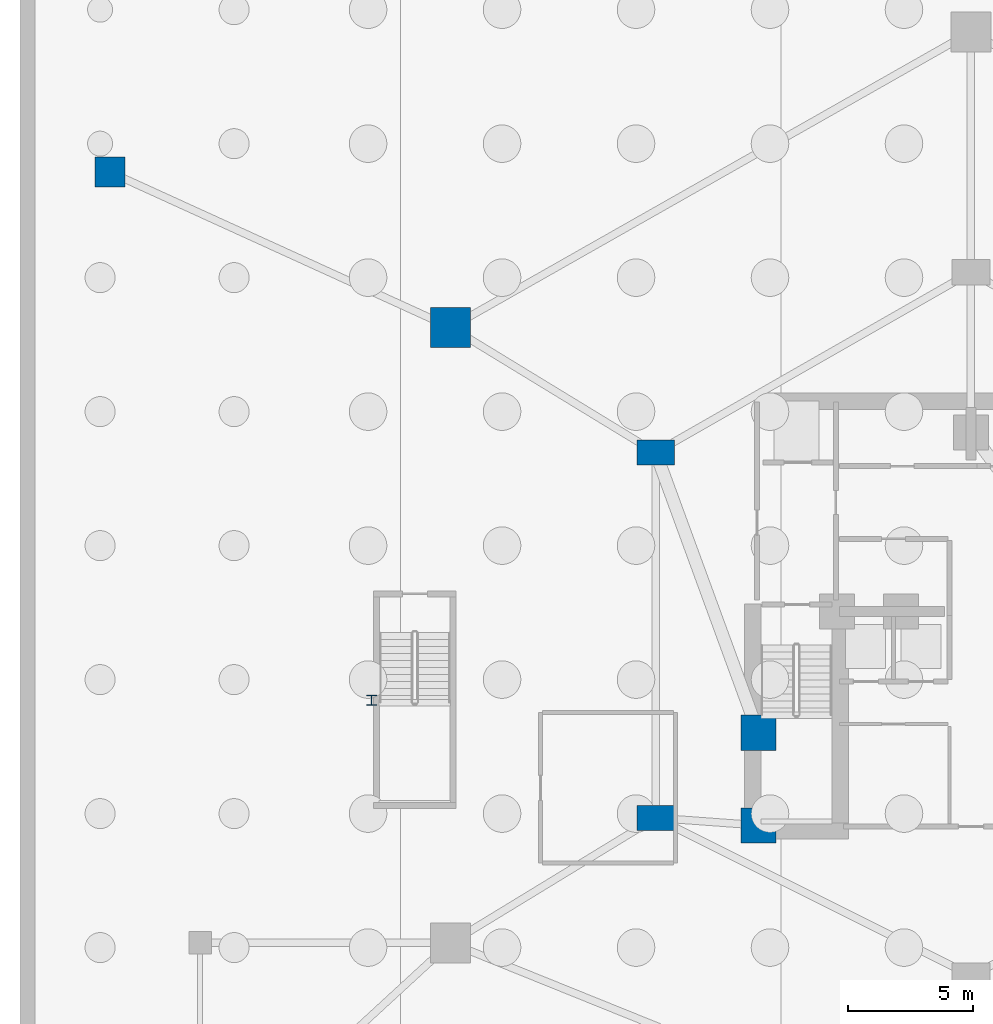
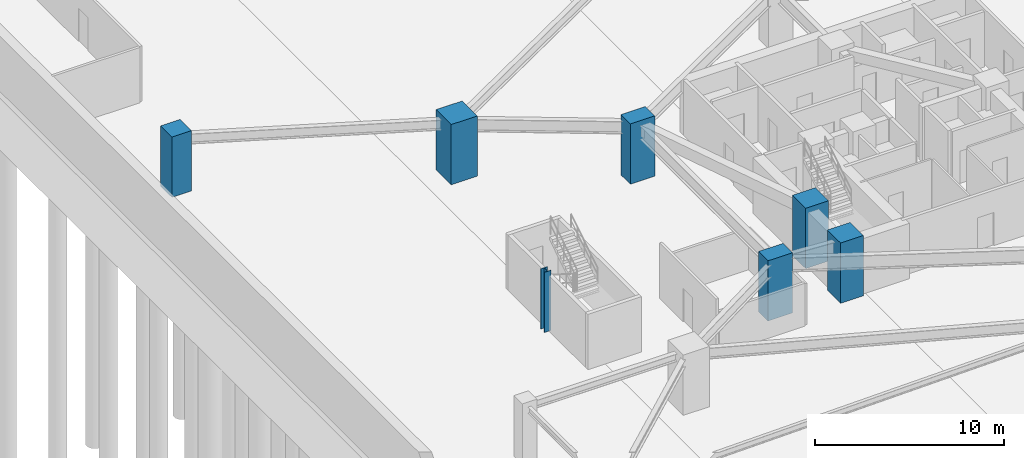
# One storey, part 3 of 14: 7 columns.
"""IFC4 building model written with IfcOpenShell, lengths in metres."""

from ifc_helpers import new_model, si_unit, direction, frame, origin, origin_2d, place, context, subcontext, project, spatial, rectangle, i_section, extrude, material, material_profile, profile_set, type_object, element, save


model = new_model("IFC4")

# Units and contexts
model_context = context("Model", 3, precision=1e-05, world=origin(), true_north=direction((0.0, 1.0)))
body_context = subcontext(model_context, "Body", "Model", "MODEL_VIEW")
ifc_project = project(units=[si_unit("LENGTHUNIT", "METRE"), si_unit("AREAUNIT", "SQUARE_METRE"), si_unit("VOLUMEUNIT", "CUBIC_METRE"), si_unit("PLANEANGLEUNIT", "RADIAN"), si_unit("MASSUNIT", "GRAM", prefix="KILO")], contexts=[model_context])

# Site, building, storey
site_placement = place(None, origin())
site = spatial("IfcSite", under=ifc_project, at=site_placement, CompositionType="ELEMENT")
building_placement = place(site_placement, origin())
building = spatial("IfcBuilding", under=site, at=building_placement, Name="Miruveldt Soraemaru", CompositionType="ELEMENT")
storey_placement = place(building_placement, frame((0.0, 0.0, -15.60009765625)))
storey = spatial("IfcBuildingStorey", under=building, at=storey_placement, Name="B4", CompositionType="ELEMENT", Elevation=-15.60009765625)

# Columns
ifc_material_1 = material(Name="Concrete C70/85 (70 MPa)", Category="concrete")
ifc_material_profile_1 = material_profile(ifc_material_1, rectangle(XDim=1.199951171875, YDim=1.199951171875, at=origin_2d()), Name="Concrete C70/85 (70 MPa)", Category="concrete")
ifc_profile_set_1 = profile_set([ifc_material_profile_1], Name="Concrete C70/85 (70 MPa)")
column_type_1 = type_object("IfcColumnType", Name="COL-CORE-1200", PredefinedType="COLUMN", material=ifc_profile_set_1)
column_1_placement = place(storey_placement, frame((9.60009765625, 61.60009765625, 0.0), z_axis=(0.0, 0.0, 1.0), x_axis=(1.0, 0.0, 0.0)))
element("IfcColumn", 1, at=column_1_placement, inside=storey, type_object=column_type_1, Name="B4 Structural Column BC2", PredefinedType="COLUMN", context=body_context, shape_type="SweptSolid", body=[
    extrude(rectangle(XDim=1.199951171875, YDim=1.199951171875, at=origin_2d()), origin(), (0.0, 0.0, 1.0), 3.900146484375),
])
ifc_material_2 = material(Name="Concrete C80/95 (80 MPa)", Category="concrete")
ifc_material_profile_2 = material_profile(ifc_material_2, rectangle(XDim=1.39990234375, YDim=1.39990234375, at=origin_2d()), Name="Concrete C80/95 (80 MPa)", Category="concrete")
ifc_profile_set_2 = profile_set([ifc_material_profile_2], Name="Concrete C80/95 (80 MPa)")
column_type_2 = type_object("IfcColumnType", Name="COL-MEGA-1400", PredefinedType="COLUMN", material=ifc_profile_set_2)
for number, where, z_axis, x_axis, name in (
    (2, (35.5, 35.5, 0.0), (0.0, 0.0, 1.0), (1.0, 0.0, 0.0), "B4 Structural Column CC1"),
    (3, (35.5, 39.199951171875, 0.0), (0.0, 0.0, 1.0), (1.0, 0.0, 0.0), "B4 Structural Column CC7"),
):
    element("IfcColumn", number, at=place(storey_placement, frame(where, z_axis=z_axis, x_axis=x_axis)), inside=storey, type_object=column_type_2, Name=name, PredefinedType="COLUMN", context=body_context, shape_type="SweptSolid", body=[
        extrude(rectangle(XDim=1.39990234375, YDim=1.39990234375, at=origin_2d()), origin(), (0.0, 0.0, 1.0), 3.900146484375),
    ])
ifc_material_profile_3 = material_profile(ifc_material_2, rectangle(XDim=1.60009765625, YDim=1.60009765625, at=origin_2d()), Name="Concrete C80/95 (80 MPa)", Category="concrete")
ifc_profile_set_3 = profile_set([ifc_material_profile_3], Name="Concrete C80/95 (80 MPa)")
column_type_3 = type_object("IfcColumnType", Name="COL-MEGA-1600", PredefinedType="COLUMN", material=ifc_profile_set_3)
column_2_placement = place(storey_placement, frame((23.199951171875, 55.39990234375, 0.0), z_axis=(0.0, 0.0, 1.0), x_axis=(1.0, 0.0, 0.0)))
element("IfcColumn", 4, at=column_2_placement, inside=storey, type_object=column_type_3, Name="B4 Structural Column PM06", PredefinedType="COLUMN", context=body_context, shape_type="SweptSolid", body=[
    extrude(rectangle(XDim=1.60009765625, YDim=1.60009765625, at=origin_2d()), origin(), (0.0, 0.0, 1.0), 3.900146484375),
])
ifc_material_3 = material(Name="Steel S460 (460 MPa)", Category="steel")
ifc_material_profile_4 = material_profile(ifc_material_3, i_section(OverallWidth=0.39990234375, OverallDepth=0.39990234375, WebThickness=0.012939453125, FlangeThickness=0.02099609375, FilletRadius=0.02197265625, at=origin_2d()), Name="Steel S460 (460 MPa)", Category="steel")
ifc_profile_set_4 = profile_set([ifc_material_profile_4], Name="Steel S460 (460 MPa)")
column_type_4 = type_object("IfcColumnType", Name="COL-PIL-400", PredefinedType="PILASTER", material=ifc_profile_set_4)
column_3_placement = place(storey_placement, frame((20.050048828125, 40.5, 0.0), z_axis=(0.0, 0.0, 1.0), x_axis=(1.0, 0.0, 0.0)))
element("IfcColumn", 5, at=column_3_placement, inside=storey, type_object=column_type_4, Name="B4 Structural Column PIL1", PredefinedType="PILASTER", context=body_context, shape_type="SweptSolid", body=[
    extrude(i_section(OverallWidth=0.39990234375, OverallDepth=0.39990234375, WebThickness=0.012939453125, FlangeThickness=0.02099609375, FilletRadius=0.02197265625, at=origin_2d()), origin(), (0.0, 0.0, 1.0), 3.900146484375),
])
ifc_material_profile_5 = material_profile(ifc_material_2, rectangle(XDim=1.5, YDim=1.0, at=origin_2d()), Name="Concrete C80/95 (80 MPa)", Category="concrete")
ifc_profile_set_5 = profile_set([ifc_material_profile_5], Name="Concrete C80/95 (80 MPa)")
column_type_5 = type_object("IfcColumnType", Name="COL-TW-Z1A", PredefinedType="COLUMN", material=ifc_profile_set_5)
for number, where, z_axis, x_axis, name in (
    (6, (31.39990234375, 35.800048828125, 0.0), (0.0, 0.0, 1.0), (1.0, 0.0, 0.0), "B4 Structural Column IR05"),
    (7, (31.39990234375, 50.39990234375, 0.0), (0.0, 0.0, 1.0), (1.0, 0.0, 0.0), "B4 Structural Column IR06"),
):
    element("IfcColumn", number, at=place(storey_placement, frame(where, z_axis=z_axis, x_axis=x_axis)), inside=storey, type_object=column_type_5, Name=name, PredefinedType="COLUMN", context=body_context, shape_type="SweptSolid", body=[
        extrude(rectangle(XDim=1.5, YDim=1.0, at=origin_2d()), origin(), (0.0, 0.0, 1.0), 3.900146484375),
    ])

save(model, "model.ifc")
